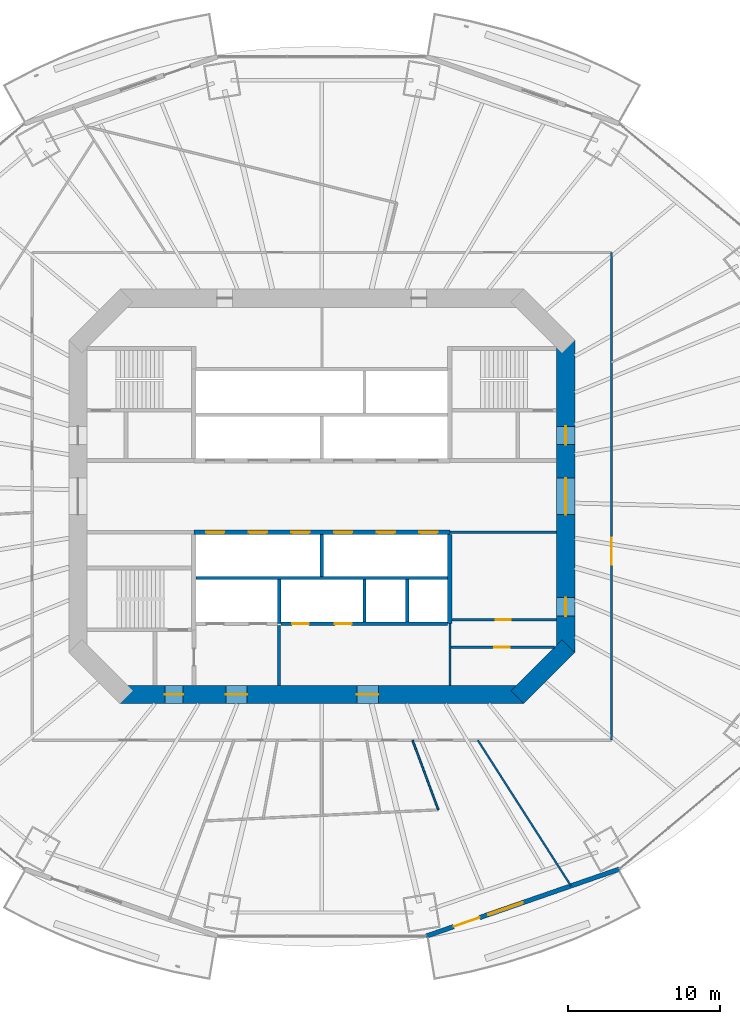
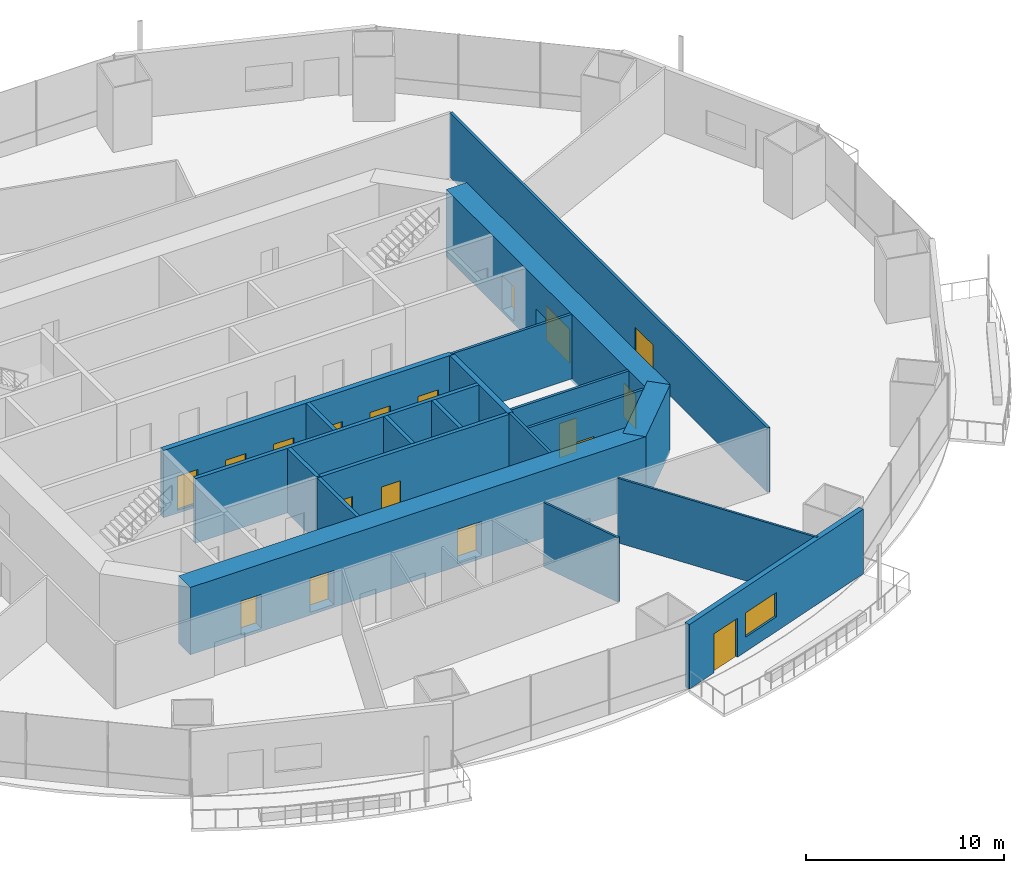
# One storey, part 14 of 22: 20 walls, 18 doors, 1 window, 19 openings.
"""IFC4 building model written with IfcOpenShell, lengths in metres."""

import ifcopenshell
import ifcopenshell.guid

model = None  # the IFC model being written
_history = None  # IfcOwnerHistory: only IFC2X3 demands one
_inside = {}  # id of a spatial element -> (the spatial element, [elements in it])
_under = {}  # id of a project, library or spatial element -> (it, [spatial elements below it])
_declared = {}  # id of a project -> (the project, [libraries it declares])
_typed = {}  # id of a type object -> (the type object, [elements of that type])
_made_of = {}  # id of a material, layer set ... -> (it, [elements and type objects made of it])


def new_model(schema):
    """Start an empty IFC model of exactly this schema.

    Asked for "IFC4X3", IfcOpenShell would pick the latest addendum, in which some entities
    have other attributes; the version numbers below select the first issue.
    IFC2X3 requires an IfcOwnerHistory on every rooted entity: one is made here for all.
    """
    global model, _history
    if schema == "IFC4X3":
        model = ifcopenshell.file(schema_version=(4, 3, 0, 0))
    else:
        model = ifcopenshell.file(schema=schema)
    _inside.clear()
    _under.clear()
    _declared.clear()
    _typed.clear()
    _made_of.clear()
    _history = None
    if model.schema == "IFC2X3":
        org = make("IfcOrganization", Name="unknown")
        user = make(
            "IfcPersonAndOrganization",
            ThePerson=make("IfcPerson", FamilyName="unknown"),
            TheOrganization=org,
        )
        app = make(
            "IfcApplication",
            ApplicationDeveloper=org,
            Version="unknown",
            ApplicationFullName="unknown",
            ApplicationIdentifier="unknown",
        )
        _history = make(
            "IfcOwnerHistory",
            OwningUser=user,
            OwningApplication=app,
            ChangeAction="ADDED",
            CreationDate=0,
        )
    return model


def make(cls, **values):
    """One entity of the class cls with the attributes given. An attribute that is None is left unset."""
    return model.create_entity(
        cls, **{name: value for name, value in values.items() if value is not None}
    )


def rooted(cls, **values):
    """An entity with a GlobalId (a new one), such as an element, a storey or a relation."""
    return make(cls, GlobalId=ifcopenshell.guid.new(), OwnerHistory=_history, **values)


def si_unit(unit_type, name, prefix=None):
    """IfcSIUnit, for example si_unit("LENGTHUNIT", "METRE", prefix="MILLI")."""
    return make("IfcSIUnit", UnitType=unit_type, Prefix=prefix, Name=name)


def assignment(units):
    """IfcUnitAssignment: the units of a project."""
    return None if units is None else make("IfcUnitAssignment", Units=units)


def point(xyz):
    """IfcCartesianPoint."""
    return None if xyz is None else make("IfcCartesianPoint", Coordinates=xyz)


def direction(xyz):
    """IfcDirection."""
    return None if xyz is None else make("IfcDirection", DirectionRatios=xyz)


def frame(location, z_axis=None, x_axis=None):
    """IfcAxis2Placement3D, a coordinate frame: its origin and axes. An axis left out is left unset."""
    return make(
        "IfcAxis2Placement3D",
        Location=point(location),
        Axis=direction(z_axis),
        RefDirection=direction(x_axis),
    )


def frame_2d(location, x_axis=None):
    """IfcAxis2Placement2D, a coordinate frame in the plane: its origin and x axis."""
    return make(
        "IfcAxis2Placement2D", Location=point(location), RefDirection=direction(x_axis)
    )


def origin():
    """The frame at (0, 0, 0) with its axes left unset."""
    return frame((0.0, 0.0, 0.0))


def place(relative_to, where):
    """IfcLocalPlacement: puts the frame where relative to a parent placement (None: the world)."""
    return make(
        "IfcLocalPlacement", PlacementRelTo=relative_to, RelativePlacement=where
    )


def context(
    kind, dimensions, precision=None, world=None, true_north=None, identifier=None
):
    """IfcGeometricRepresentationContext, for example the 3D "Model" context."""
    return make(
        "IfcGeometricRepresentationContext",
        ContextIdentifier=identifier,
        ContextType=kind,
        CoordinateSpaceDimension=dimensions,
        Precision=precision,
        WorldCoordinateSystem=world,
        TrueNorth=true_north,
    )


def subcontext(parent, identifier, kind, view, scale=None):
    """IfcGeometricRepresentationSubContext, for example "Body" below "Model"."""
    return make(
        "IfcGeometricRepresentationSubContext",
        ContextIdentifier=identifier,
        ContextType=kind,
        ParentContext=parent,
        TargetScale=scale,
        TargetView=view,
    )


def project(units=None, contexts=None):
    """IfcProject with its units and contexts."""
    return rooted(
        "IfcProject",
        Name="project",
        RepresentationContexts=contexts,
        UnitsInContext=assignment(units),
    )


def spatial(cls, under=None, at=None, **own):
    """A site, building, storey or space (cls), placed at a placement, below another one or the project."""
    s = rooted(cls, ObjectPlacement=at, **own)
    if under is not None:
        _under.setdefault(under.id(), (under, []))[1].append(s)
    return s


def profile(cls, at=None, kind="AREA", **sizes):
    """A parametric profile (cls). Its sizes go by their IFC names, for example OverallWidth=200.0."""
    return make(cls, ProfileType=kind, Position=at, **sizes)


def rectangle(**sizes):
    """IfcRectangleProfileDef."""
    return profile("IfcRectangleProfileDef", **sizes)


def extrude(swept, where, along, depth):
    """IfcExtrudedAreaSolid: the profile swept, set in the frame where, extruded along a direction by depth."""
    return make(
        "IfcExtrudedAreaSolid",
        SweptArea=swept,
        Position=where,
        ExtrudedDirection=direction(along),
        Depth=depth,
    )


def shape(context_of_items, identifier, shape_type, items):
    """IfcShapeRepresentation: the items that make up one representation, for example the "Body"."""
    return make(
        "IfcShapeRepresentation",
        ContextOfItems=context_of_items,
        RepresentationIdentifier=identifier,
        RepresentationType=shape_type,
        Items=items,
    )


def material(Name=None, Category=None):
    """IfcMaterial."""
    return make("IfcMaterial", Name=Name, Category=Category)


def layer(
    of_material, thickness, ventilated=None, Name=None, Category=None, Priority=None
):
    """IfcMaterialLayer: one layer of a wall or slab, of a material (None: an air gap)."""
    return make(
        "IfcMaterialLayer",
        Material=of_material,
        LayerThickness=thickness,
        IsVentilated=ventilated,
        Name=Name,
        Category=Category,
        Priority=Priority,
    )


def layer_set(layers, Name=None):
    """IfcMaterialLayerSet."""
    return make("IfcMaterialLayerSet", MaterialLayers=layers, LayerSetName=Name)


def made_of(thing, what):
    """Note that an element or type object is made of a material, layer set ...; save() writes the relation."""
    if what is not None:
        _made_of.setdefault(what.id(), (what, []))[1].append(thing)
    return thing


def type_object(cls, material=None, **own):
    """A type object (cls), such as IfcWallType, which elements share."""
    return made_of(rooted(cls, **own), material)


def element(
    cls,
    number,
    at=None,
    inside=None,
    cuts=None,
    type_object=None,
    material=None,
    context=None,
    identifier="Body",
    shape_type=None,
    held_by="IfcProductDefinitionShape",
    body=None,
    shapes=None,
    **own,
):
    """One element of the class cls, such as IfcWall. Its Tag is "e" and its number.

    at: its placement. inside: the storey or other place that contains it. cuts: it is an
    opening in that element (IfcRelVoidsElement). A single representation is given by context,
    identifier, shape_type and body (its items); several are given by shapes. held_by: the class
    of the entity that holds the representations. save() writes the other relations.
    """
    e = rooted(cls, Tag="e%d" % number, ObjectPlacement=at, **own)
    if body is not None:
        shapes = [shape(context, identifier, shape_type, body)]
    if shapes is not None:
        e.Representation = make(held_by, Representations=shapes)
    if inside is not None:
        _inside.setdefault(inside.id(), (inside, []))[1].append(e)
    if cuts is not None:
        rooted(
            "IfcRelVoidsElement", RelatingBuildingElement=cuts, RelatedOpeningElement=e
        )
    if type_object is not None:
        _typed.setdefault(type_object.id(), (type_object, []))[1].append(e)
    return made_of(e, material)


def fill(opening, filler):
    """IfcRelFillsElement: the door or window that sits in an opening."""
    return rooted(
        "IfcRelFillsElement",
        RelatingOpeningElement=opening,
        RelatedBuildingElement=filler,
    )


def aggregate(whole, parts):
    """IfcRelAggregates: a whole, such as a stair, and the parts it consists of."""
    return rooted("IfcRelAggregates", RelatingObject=whole, RelatedObjects=parts)


def save(model, path):
    """Write the relations noted so far, then the file.

    IfcRelAggregates (storeys below a building ...), IfcRelContainedInSpatialStructure (elements
    in a storey), IfcRelDefinesByType, IfcRelAssociatesMaterial and IfcRelDeclares: one each for
    every whole, place, type object, material and project.
    """
    for whole, parts in _under.values():
        aggregate(whole, parts)
    for where, things in _inside.values():
        rooted(
            "IfcRelContainedInSpatialStructure",
            RelatedElements=things,
            RelatingStructure=where,
        )
    for kind, things in _typed.values():
        rooted("IfcRelDefinesByType", RelatedObjects=things, RelatingType=kind)
    for what, things in _made_of.values():
        rooted("IfcRelAssociatesMaterial", RelatedObjects=things, RelatingMaterial=what)
    for by, libraries in _declared.values():
        rooted("IfcRelDeclares", RelatingContext=by, RelatedDefinitions=libraries)
    model.write(path)


model = new_model("IFC4")

# Units and contexts
model_context = context("Model", 3, precision=1e-05, world=origin(), true_north=direction((0.0, 1.0)))
body_context = subcontext(model_context, "Body", "Model", "MODEL_VIEW")
ifc_project = project(units=[si_unit("LENGTHUNIT", "METRE"), si_unit("AREAUNIT", "SQUARE_METRE"), si_unit("VOLUMEUNIT", "CUBIC_METRE"), si_unit("PLANEANGLEUNIT", "RADIAN"), si_unit("MASSUNIT", "GRAM", prefix="KILO")], contexts=[model_context])

# Site, building, storey
site_placement = place(None, origin())
site = spatial("IfcSite", under=ifc_project, at=site_placement, CompositionType="ELEMENT")
building_placement = place(site_placement, origin())
building = spatial("IfcBuilding", under=site, at=building_placement, Name="Marenthal Gate Tower", CompositionType="ELEMENT")
storey_placement = place(building_placement, frame((0.0, 0.0, 91.10009765625)))
storey = spatial("IfcBuildingStorey", under=building, at=storey_placement, Name="L18", CompositionType="ELEMENT", Elevation=91.10009765625)

# Wall
ifc_material_1 = material(Name="Concrete 60 MPa", Category="concrete")
ifc_layer_1 = layer(ifc_material_1, 1.199951171875)
ifc_layer_set_1 = layer_set([ifc_layer_1], Name="Core shear wall 1200")
wall_type_1 = type_object("IfcWallType", Name="Core shear wall 1200", PredefinedType="SHEAR", material=ifc_layer_set_1)
wall_1_placement = place(storey_placement, frame((12.82421875, -13.17578125, -0.18017578125), z_axis=(0.0, 0.0, 1.0), x_axis=(0.707106781187, 0.707106781187, 0.0)))
element("IfcWall", 1, at=wall_1_placement, inside=storey, type_object=wall_type_1, Name="Core wall 01", PredefinedType="SHEAR", context=body_context, shape_type="SweptSolid", body=[
    extrude(rectangle(XDim=4.73974609375, YDim=1.199951171875, at=frame_2d((2.369873046875, 0.0))), origin(), (0.0, 0.0, 1.0), 4.150146484375),
])

# Wall, openings, doors
wall_2_placement = place(storey_placement, frame((16.0, -10.24853515625, -0.18017578125), z_axis=(0.0, 0.0, 1.0), x_axis=(0.0, 1.0, 0.0)))
wall_2 = element("IfcWall", 2, at=wall_2_placement, inside=storey, type_object=wall_type_1, Name="Core wall 02", PredefinedType="SHEAR", context=body_context, shape_type="SweptSolid", body=[
    extrude(rectangle(XDim=20.4970703125, YDim=1.199951171875, at=frame_2d((10.24853515625, 0.0))), origin(), (0.0, 0.0, 1.0), 4.150146484375),
])
opening_1_placement = place(wall_2_placement, frame((9.048583984375, 0.0, 0.179931640625)))
opening_1 = element("IfcOpeningElement", 3, at=opening_1_placement, cuts=wall_2, Name="Opening D003.02", PredefinedType="OPENING", context=body_context, shape_type="SweptSolid", body=[
    extrude(rectangle(XDim=2.39990234375, YDim=2.10009765625, at=frame_2d((1.199951171875, 1.050048828125))), frame((0.0, 0.60986328125, 0.0), z_axis=(0.0, -1.0, 0.0), x_axis=(1.0, 0.0, 0.0)), (0.0, 0.0, 1.0), 1.219970703125),
])
opening_2_placement = place(wall_2_placement, frame((13.6484375, 0.0, 0.179931640625)))
opening_2 = element("IfcOpeningElement", 4, at=opening_2_placement, cuts=wall_2, Name="Opening D001.05", PredefinedType="OPENING", context=body_context, shape_type="SweptSolid", body=[
    extrude(rectangle(XDim=1.199951171875, YDim=2.10009765625, at=frame_2d((0.60009765625, 1.050048828125))), frame((0.0, 0.60986328125, 0.0), z_axis=(0.0, -1.0, 0.0), x_axis=(1.0, 0.0, 0.0)), (0.0, 0.0, 1.0), 1.219970703125),
])
opening_3_placement = place(wall_2_placement, frame((2.39990234375, 0.0, 0.179931640625)))
opening_3 = element("IfcOpeningElement", 5, at=opening_3_placement, cuts=wall_2, Name="Opening D006.01", PredefinedType="OPENING", context=body_context, shape_type="SweptSolid", body=[
    extrude(rectangle(XDim=1.199951171875, YDim=2.10009765625, at=frame_2d((0.60009765625, 1.050048828125))), frame((0.0, 0.60986328125, 0.0), z_axis=(0.0, -1.0, 0.0), x_axis=(1.0, 0.0, 0.0)), (0.0, 0.0, 1.0), 1.219970703125),
])
ifc_material_2 = material(Name="Steel fire door", Category="steel")
door_type_1 = type_object("IfcDoorType", Name="Double fire door FD 45 2400 x 2100", OperationType="DOUBLE_DOOR_SINGLE_SWING", PredefinedType="DOOR", material=ifc_material_2)
door_1_placement = place(opening_1_placement, origin())
door_1 = element("IfcDoor", 6, at=door_1_placement, inside=storey, type_object=door_type_1, Name="Door D003.02", OperationType="DOUBLE_DOOR_SINGLE_SWING", OverallHeight=2.10009765625, OverallWidth=2.39990234375, PredefinedType="DOOR", context=body_context, shape_type="SweptSolid", body=[
    extrude(rectangle(XDim=2.39990234375, YDim=2.10009765625, at=frame_2d((1.199951171875, 1.050048828125))), frame((0.0, 0.02490234375, 0.0), z_axis=(0.0, -1.0, 0.0), x_axis=(1.0, 0.0, 0.0)), (0.0, 0.0, 1.0), 0.050048828125),
])
fill(opening_1, door_1)
ifc_material_3 = material(Name="Steel fire door", Category="steel")
door_type_2 = type_object("IfcDoorType", Name="Fire door FD 45 1200 x 2100", OperationType="NOTDEFINED", PredefinedType="DOOR", material=ifc_material_3)
door_2_placement = place(opening_3_placement, origin())
door_2 = element("IfcDoor", 7, at=door_2_placement, inside=storey, type_object=door_type_2, Name="Door D006.01", OperationType="SINGLE_SWING_RIGHT", OverallHeight=2.10009765625, OverallWidth=1.199951171875, PredefinedType="DOOR", context=body_context, shape_type="SweptSolid", body=[
    extrude(rectangle(XDim=1.199951171875, YDim=2.10009765625, at=frame_2d((0.60009765625, 1.050048828125))), frame((0.0, 0.02490234375, 0.0), z_axis=(0.0, -1.0, 0.0), x_axis=(1.0, 0.0, 0.0)), (0.0, 0.0, 1.0), 0.050048828125),
])
fill(opening_3, door_2)
ifc_material_4 = material(Name="Steel fire door", Category="steel")
door_type_3 = type_object("IfcDoorType", Name="Fire door FD 90 1200 x 2100", OperationType="NOTDEFINED", PredefinedType="DOOR", material=ifc_material_4)
door_3_placement = place(opening_2_placement, origin())
door_3 = element("IfcDoor", 8, at=door_3_placement, inside=storey, type_object=door_type_3, Name="Door D001.05", OperationType="SINGLE_SWING_RIGHT", OverallHeight=2.10009765625, OverallWidth=1.199951171875, PredefinedType="DOOR", context=body_context, shape_type="SweptSolid", body=[
    extrude(rectangle(XDim=1.199951171875, YDim=2.10009765625, at=frame_2d((0.60009765625, 1.050048828125))), frame((0.0, 0.02490234375, 0.0), z_axis=(0.0, -1.0, 0.0), x_axis=(1.0, 0.0, 0.0)), (0.0, 0.0, 1.0), 0.050048828125),
])
fill(opening_2, door_3)

wall_3_placement = place(storey_placement, frame((-13.24853515625, -13.0, -0.18017578125), z_axis=(0.0, 0.0, 1.0), x_axis=(1.0, 0.0, 0.0)))
wall_3 = element("IfcWall", 9, at=wall_3_placement, inside=storey, type_object=wall_type_1, Name="Core wall 08", PredefinedType="SHEAR", context=body_context, shape_type="SweptSolid", body=[
    extrude(rectangle(XDim=26.4970703125, YDim=1.199951171875, at=frame_2d((13.24853515625, 0.0))), origin(), (0.0, 0.0, 1.0), 4.150146484375),
])
opening_4_placement = place(wall_3_placement, frame((2.948486328125, 0.0, 0.179931640625)))
opening_4 = element("IfcOpeningElement", 10, at=opening_4_placement, cuts=wall_3, Name="Opening D001.06", PredefinedType="OPENING", context=body_context, shape_type="SweptSolid", body=[
    extrude(rectangle(XDim=1.199951171875, YDim=2.10009765625, at=frame_2d((0.60009765625, 1.050048828125))), frame((0.0, 0.60986328125, 0.0), z_axis=(0.0, -1.0, 0.0), x_axis=(1.0, 0.0, 0.0)), (0.0, 0.0, 1.0), 1.219970703125),
])
opening_5_placement = place(wall_3_placement, frame((6.948486328125, 0.0, 0.179931640625)))
opening_5 = element("IfcOpeningElement", 11, at=opening_5_placement, cuts=wall_3, Name="Opening D004.01", PredefinedType="OPENING", context=body_context, shape_type="SweptSolid", body=[
    extrude(rectangle(XDim=1.39990234375, YDim=2.10009765625, at=frame_2d((0.699951171875, 1.050048828125))), frame((0.0, 0.60986328125, 0.0), z_axis=(0.0, -1.0, 0.0), x_axis=(1.0, 0.0, 0.0)), (0.0, 0.0, 1.0), 1.219970703125),
])
opening_6_placement = place(wall_3_placement, frame((15.548583984375, 0.0, 0.179931640625)))
opening_6 = element("IfcOpeningElement", 12, at=opening_6_placement, cuts=wall_3, Name="Opening D004.02", PredefinedType="OPENING", context=body_context, shape_type="SweptSolid", body=[
    extrude(rectangle(XDim=1.39990234375, YDim=2.10009765625, at=frame_2d((0.699951171875, 1.050048828125))), frame((0.0, 0.60986328125, 0.0), z_axis=(0.0, -1.0, 0.0), x_axis=(1.0, 0.0, 0.0)), (0.0, 0.0, 1.0), 1.219970703125),
])
ifc_material_5 = material(Name="Steel fire door", Category="steel")
door_type_4 = type_object("IfcDoorType", Name="Fire door FD 45 1400 x 2100", OperationType="NOTDEFINED", PredefinedType="DOOR", material=ifc_material_5)
door_4_placement = place(opening_5_placement, origin())
door_4 = element("IfcDoor", 13, at=door_4_placement, inside=storey, type_object=door_type_4, Name="Door D004.01", OperationType="SINGLE_SWING_RIGHT", OverallHeight=2.10009765625, OverallWidth=1.39990234375, PredefinedType="DOOR", context=body_context, shape_type="SweptSolid", body=[
    extrude(rectangle(XDim=1.39990234375, YDim=2.10009765625, at=frame_2d((0.699951171875, 1.050048828125))), frame((0.0, 0.02490234375, 0.0), z_axis=(0.0, -1.0, 0.0), x_axis=(1.0, 0.0, 0.0)), (0.0, 0.0, 1.0), 0.050048828125),
])
fill(opening_5, door_4)
door_5_placement = place(opening_6_placement, origin())
door_5 = element("IfcDoor", 14, at=door_5_placement, inside=storey, type_object=door_type_4, Name="Door D004.02", OperationType="SINGLE_SWING_RIGHT", OverallHeight=2.10009765625, OverallWidth=1.39990234375, PredefinedType="DOOR", context=body_context, shape_type="SweptSolid", body=[
    extrude(rectangle(XDim=1.39990234375, YDim=2.10009765625, at=frame_2d((0.699951171875, 1.050048828125))), frame((0.0, 0.02490234375, 0.0), z_axis=(0.0, -1.0, 0.0), x_axis=(1.0, 0.0, 0.0)), (0.0, 0.0, 1.0), 0.050048828125),
])
fill(opening_6, door_5)
door_6_placement = place(opening_4_placement, origin())
door_6 = element("IfcDoor", 15, at=door_6_placement, inside=storey, type_object=door_type_3, Name="Door D001.06", OperationType="SINGLE_SWING_RIGHT", OverallHeight=2.10009765625, OverallWidth=1.199951171875, PredefinedType="DOOR", context=body_context, shape_type="SweptSolid", body=[
    extrude(rectangle(XDim=1.199951171875, YDim=2.10009765625, at=frame_2d((0.60009765625, 1.050048828125))), frame((0.0, 0.02490234375, 0.0), z_axis=(0.0, -1.0, 0.0), x_axis=(1.0, 0.0, 0.0)), (0.0, 0.0, 1.0), 0.050048828125),
])
fill(opening_4, door_6)

# Wall
ifc_material_6 = material(Name="Gypsum board on steel studs", Category="steel")
ifc_layer_2 = layer(ifc_material_6, 0.199951171875)
ifc_layer_set_2 = layer_set([ifc_layer_2], Name="Fire lobby wall 200")
wall_type_2 = type_object("IfcWallType", Name="Fire lobby wall 200", PredefinedType="PARTITIONING", material=ifc_layer_set_2)
wall_4_placement = place(storey_placement, frame((-2.800048828125, -12.39990234375, 0.0), z_axis=(0.0, 0.0, 1.0), x_axis=(0.0, 1.0, 0.0)))
element("IfcWall", 16, at=wall_4_placement, inside=storey, type_object=wall_type_2, Name="Fire wall 34", PredefinedType="PARTITIONING", context=body_context, shape_type="SweptSolid", body=[
    extrude(rectangle(XDim=3.93994140625, YDim=0.199951171875, at=frame_2d((1.969970703125, 0.0))), origin(), (0.0, 0.0, 1.0), 3.969970703125),
])

# Wall, openings, doors
ifc_material_7 = material(Name="Concrete 50 MPa", Category="concrete")
ifc_layer_3 = layer(ifc_material_7, 0.300048828125)
ifc_layer_set_3 = layer_set([ifc_layer_3], Name="Hoistway shear wall 300")
wall_type_3 = type_object("IfcWallType", Name="Hoistway shear wall 300", PredefinedType="SHEAR", material=ifc_layer_set_3)
wall_5_placement = place(storey_placement, frame((-8.39990234375, -2.35009765625, -0.18017578125), z_axis=(0.0, 0.0, 1.0), x_axis=(1.0, 0.0, 0.0)))
wall_5 = element("IfcWall", 17, at=wall_5_placement, inside=storey, type_object=wall_type_3, Name="Hoistway wall 17", PredefinedType="SHEAR", context=body_context, shape_type="SweptSolid", body=[
    extrude(rectangle(XDim=16.7998046875, YDim=0.300048828125, at=frame_2d((8.39990234375, 0.0))), origin(), (0.0, 0.0, 1.0), 4.150146484375),
])
opening_7_placement = place(wall_5_placement, frame((0.800048828125, 0.0, 0.179931640625)))
opening_7 = element("IfcOpeningElement", 18, at=opening_7_placement, cuts=wall_5, Name="Opening LD-LP7", PredefinedType="OPENING", context=body_context, shape_type="SweptSolid", body=[
    extrude(rectangle(XDim=1.199951171875, YDim=2.10009765625, at=frame_2d((0.60009765625, 1.050048828125))), frame((0.0, 0.16015625, 0.0), z_axis=(0.0, -1.0, 0.0), x_axis=(1.0, 0.0, 0.0)), (0.0, 0.0, 1.0), 0.320068359375),
])
opening_8_placement = place(wall_5_placement, frame((3.60009765625, 0.0, 0.179931640625)))
opening_8 = element("IfcOpeningElement", 19, at=opening_8_placement, cuts=wall_5, Name="Opening LD-LP8", PredefinedType="OPENING", context=body_context, shape_type="SweptSolid", body=[
    extrude(rectangle(XDim=1.199951171875, YDim=2.10009765625, at=frame_2d((0.60009765625, 1.050048828125))), frame((0.0, 0.16015625, 0.0), z_axis=(0.0, -1.0, 0.0), x_axis=(1.0, 0.0, 0.0)), (0.0, 0.0, 1.0), 0.320068359375),
])
opening_9_placement = place(wall_5_placement, frame((6.39990234375, 0.0, 0.179931640625)))
opening_9 = element("IfcOpeningElement", 20, at=opening_9_placement, cuts=wall_5, Name="Opening LD-LP9", PredefinedType="OPENING", context=body_context, shape_type="SweptSolid", body=[
    extrude(rectangle(XDim=1.199951171875, YDim=2.10009765625, at=frame_2d((0.60009765625, 1.050048828125))), frame((0.0, 0.16015625, 0.0), z_axis=(0.0, -1.0, 0.0), x_axis=(1.0, 0.0, 0.0)), (0.0, 0.0, 1.0), 0.320068359375),
])
opening_10_placement = place(wall_5_placement, frame((9.199951171875, 0.0, 0.179931640625)))
opening_10 = element("IfcOpeningElement", 21, at=opening_10_placement, cuts=wall_5, Name="Opening LD-LP10", PredefinedType="OPENING", context=body_context, shape_type="SweptSolid", body=[
    extrude(rectangle(XDim=1.199951171875, YDim=2.10009765625, at=frame_2d((0.60009765625, 1.050048828125))), frame((0.0, 0.16015625, 0.0), z_axis=(0.0, -1.0, 0.0), x_axis=(1.0, 0.0, 0.0)), (0.0, 0.0, 1.0), 0.320068359375),
])
opening_11_placement = place(wall_5_placement, frame((12.0, 0.0, 0.179931640625)))
opening_11 = element("IfcOpeningElement", 22, at=opening_11_placement, cuts=wall_5, Name="Opening LD-LP11", PredefinedType="OPENING", context=body_context, shape_type="SweptSolid", body=[
    extrude(rectangle(XDim=1.199951171875, YDim=2.10009765625, at=frame_2d((0.60009765625, 1.050048828125))), frame((0.0, 0.16015625, 0.0), z_axis=(0.0, -1.0, 0.0), x_axis=(1.0, 0.0, 0.0)), (0.0, 0.0, 1.0), 0.320068359375),
])
opening_12_placement = place(wall_5_placement, frame((14.800048828125, 0.0, 0.179931640625)))
opening_12 = element("IfcOpeningElement", 23, at=opening_12_placement, cuts=wall_5, Name="Opening LD-LP12", PredefinedType="OPENING", context=body_context, shape_type="SweptSolid", body=[
    extrude(rectangle(XDim=1.199951171875, YDim=2.10009765625, at=frame_2d((0.60009765625, 1.050048828125))), frame((0.0, 0.16015625, 0.0), z_axis=(0.0, -1.0, 0.0), x_axis=(1.0, 0.0, 0.0)), (0.0, 0.0, 1.0), 0.320068359375),
])
ifc_material_8 = material(Name="Stainless steel sliding door", Category="steel")
door_type_5 = type_object("IfcDoorType", Name="Lift landing door FD 90 1200 x 2100", OperationType="DOUBLE_DOOR_SLIDING", PredefinedType="DOOR", material=ifc_material_8)
door_7_placement = place(opening_7_placement, origin())
door_7 = element("IfcDoor", 24, at=door_7_placement, inside=storey, type_object=door_type_5, Name="Lift landing door LP7", OperationType="DOUBLE_DOOR_SLIDING", OverallHeight=2.10009765625, OverallWidth=1.199951171875, PredefinedType="DOOR", context=body_context, shape_type="SweptSolid", body=[
    extrude(rectangle(XDim=1.199951171875, YDim=2.10009765625, at=frame_2d((0.60009765625, 1.050048828125))), frame((0.0, 0.02490234375, 0.0), z_axis=(0.0, -1.0, 0.0), x_axis=(1.0, 0.0, 0.0)), (0.0, 0.0, 1.0), 0.050048828125),
])
fill(opening_7, door_7)
door_8_placement = place(opening_8_placement, origin())
door_8 = element("IfcDoor", 25, at=door_8_placement, inside=storey, type_object=door_type_5, Name="Lift landing door LP8", OperationType="DOUBLE_DOOR_SLIDING", OverallHeight=2.10009765625, OverallWidth=1.199951171875, PredefinedType="DOOR", context=body_context, shape_type="SweptSolid", body=[
    extrude(rectangle(XDim=1.199951171875, YDim=2.10009765625, at=frame_2d((0.60009765625, 1.050048828125))), frame((0.0, 0.02490234375, 0.0), z_axis=(0.0, -1.0, 0.0), x_axis=(1.0, 0.0, 0.0)), (0.0, 0.0, 1.0), 0.050048828125),
])
fill(opening_8, door_8)
door_9_placement = place(opening_9_placement, origin())
door_9 = element("IfcDoor", 26, at=door_9_placement, inside=storey, type_object=door_type_5, Name="Lift landing door LP9", OperationType="DOUBLE_DOOR_SLIDING", OverallHeight=2.10009765625, OverallWidth=1.199951171875, PredefinedType="DOOR", context=body_context, shape_type="SweptSolid", body=[
    extrude(rectangle(XDim=1.199951171875, YDim=2.10009765625, at=frame_2d((0.60009765625, 1.050048828125))), frame((0.0, 0.02490234375, 0.0), z_axis=(0.0, -1.0, 0.0), x_axis=(1.0, 0.0, 0.0)), (0.0, 0.0, 1.0), 0.050048828125),
])
fill(opening_9, door_9)
door_10_placement = place(opening_10_placement, origin())
door_10 = element("IfcDoor", 27, at=door_10_placement, inside=storey, type_object=door_type_5, Name="Lift landing door LP10", OperationType="DOUBLE_DOOR_SLIDING", OverallHeight=2.10009765625, OverallWidth=1.199951171875, PredefinedType="DOOR", context=body_context, shape_type="SweptSolid", body=[
    extrude(rectangle(XDim=1.199951171875, YDim=2.10009765625, at=frame_2d((0.60009765625, 1.050048828125))), frame((0.0, 0.02490234375, 0.0), z_axis=(0.0, -1.0, 0.0), x_axis=(1.0, 0.0, 0.0)), (0.0, 0.0, 1.0), 0.050048828125),
])
fill(opening_10, door_10)
door_11_placement = place(opening_11_placement, origin())
door_11 = element("IfcDoor", 28, at=door_11_placement, inside=storey, type_object=door_type_5, Name="Lift landing door LP11", OperationType="DOUBLE_DOOR_SLIDING", OverallHeight=2.10009765625, OverallWidth=1.199951171875, PredefinedType="DOOR", context=body_context, shape_type="SweptSolid", body=[
    extrude(rectangle(XDim=1.199951171875, YDim=2.10009765625, at=frame_2d((0.60009765625, 1.050048828125))), frame((0.0, 0.02490234375, 0.0), z_axis=(0.0, -1.0, 0.0), x_axis=(1.0, 0.0, 0.0)), (0.0, 0.0, 1.0), 0.050048828125),
])
fill(opening_11, door_11)
door_12_placement = place(opening_12_placement, origin())
door_12 = element("IfcDoor", 29, at=door_12_placement, inside=storey, type_object=door_type_5, Name="Lift landing door LP12", OperationType="DOUBLE_DOOR_SLIDING", OverallHeight=2.10009765625, OverallWidth=1.199951171875, PredefinedType="DOOR", context=body_context, shape_type="SweptSolid", body=[
    extrude(rectangle(XDim=1.199951171875, YDim=2.10009765625, at=frame_2d((0.60009765625, 1.050048828125))), frame((0.0, 0.02490234375, 0.0), z_axis=(0.0, -1.0, 0.0), x_axis=(1.0, 0.0, 0.0)), (0.0, 0.0, 1.0), 0.050048828125),
])
fill(opening_12, door_12)

# Wall
wall_6_placement = place(storey_placement, frame((8.39990234375, -8.35009765625, -0.18017578125), z_axis=(0.0, 0.0, 1.0), x_axis=(0.0, 1.0, 0.0)))
element("IfcWall", 30, at=wall_6_placement, inside=storey, type_object=wall_type_3, Name="Hoistway wall 43", PredefinedType="SHEAR", context=body_context, shape_type="SweptSolid", body=[
    extrude(rectangle(XDim=5.85009765625, YDim=0.300048828125, at=frame_2d((2.925048828125, 0.0))), origin(), (0.0, 0.0, 1.0), 4.150146484375),
])

# Wall, openings, doors
ifc_material_9 = material(Name="Concrete 40 MPa", Category="concrete")
ifc_layer_4 = layer(ifc_material_9, 0.219970703125)
ifc_layer_set_4 = layer_set([ifc_layer_4], Name="Hoistway wall 220")
wall_type_4 = type_object("IfcWallType", Name="Hoistway wall 220", PredefinedType="STANDARD", material=ifc_layer_set_4)
wall_7_placement = place(storey_placement, frame((-2.68994140625, -8.35009765625, 0.0), z_axis=(0.0, 0.0, 1.0), x_axis=(1.0, 0.0, 0.0)))
wall_7 = element("IfcWall", 31, at=wall_7_placement, inside=storey, type_object=wall_type_4, Name="Hoistway wall 12", PredefinedType="STANDARD", context=body_context, shape_type="SweptSolid", body=[
    extrude(rectangle(XDim=10.93994140625, YDim=0.219970703125, at=frame_2d((5.469970703125, 0.0))), origin(), (0.0, 0.0, 1.0), 3.969970703125),
])
opening_13_placement = place(wall_7_placement, frame((0.739990234375, 0.0, 0.0)))
opening_13 = element("IfcOpeningElement", 32, at=opening_13_placement, cuts=wall_7, Name="Opening LD-SV1", PredefinedType="OPENING", context=body_context, shape_type="SweptSolid", body=[
    extrude(rectangle(XDim=1.10009765625, YDim=2.10009765625, at=frame_2d((0.550048828125, 1.050048828125))), frame((0.0, 0.1201171875, 0.0), z_axis=(0.0, -1.0, 0.0), x_axis=(1.0, 0.0, 0.0)), (0.0, 0.0, 1.0), 0.239990234375),
])
opening_14_placement = place(wall_7_placement, frame((3.5400390625, 0.0, 0.0)))
opening_14 = element("IfcOpeningElement", 33, at=opening_14_placement, cuts=wall_7, Name="Opening LD-SV2", PredefinedType="OPENING", context=body_context, shape_type="SweptSolid", body=[
    extrude(rectangle(XDim=1.10009765625, YDim=2.10009765625, at=frame_2d((0.550048828125, 1.050048828125))), frame((0.0, 0.1201171875, 0.0), z_axis=(0.0, -1.0, 0.0), x_axis=(1.0, 0.0, 0.0)), (0.0, 0.0, 1.0), 0.239990234375),
])
ifc_material_10 = material(Name="Stainless steel sliding door", Category="steel")
door_type_6 = type_object("IfcDoorType", Name="Lift landing door FD 90 1100 x 2100", OperationType="DOUBLE_DOOR_SLIDING", PredefinedType="DOOR", material=ifc_material_10)
door_13_placement = place(opening_13_placement, origin())
door_13 = element("IfcDoor", 34, at=door_13_placement, inside=storey, type_object=door_type_6, Name="Lift landing door SV1", OperationType="DOUBLE_DOOR_SLIDING", OverallHeight=2.10009765625, OverallWidth=1.10009765625, PredefinedType="DOOR", context=body_context, shape_type="SweptSolid", body=[
    extrude(rectangle(XDim=1.10009765625, YDim=2.10009765625, at=frame_2d((0.550048828125, 1.050048828125))), frame((0.0, 0.02490234375, 0.0), z_axis=(0.0, -1.0, 0.0), x_axis=(1.0, 0.0, 0.0)), (0.0, 0.0, 1.0), 0.050048828125),
])
fill(opening_13, door_13)
door_14_placement = place(opening_14_placement, origin())
door_14 = element("IfcDoor", 35, at=door_14_placement, inside=storey, type_object=door_type_6, Name="Lift landing door SV2", OperationType="DOUBLE_DOOR_SLIDING", OverallHeight=2.10009765625, OverallWidth=1.10009765625, PredefinedType="DOOR", context=body_context, shape_type="SweptSolid", body=[
    extrude(rectangle(XDim=1.10009765625, YDim=2.10009765625, at=frame_2d((0.550048828125, 1.050048828125))), frame((0.0, 0.02490234375, 0.0), z_axis=(0.0, -1.0, 0.0), x_axis=(1.0, 0.0, 0.0)), (0.0, 0.0, 1.0), 0.050048828125),
])
fill(opening_14, door_14)

# Walls
wall_8_placement = place(storey_placement, frame((-8.25, -5.35009765625, 0.0), z_axis=(0.0, 0.0, 1.0), x_axis=(1.0, 0.0, 0.0)))
element("IfcWall", 36, at=wall_8_placement, inside=storey, type_object=wall_type_4, Name="Hoistway wall 14", PredefinedType="STANDARD", context=body_context, shape_type="SweptSolid", body=[
    extrude(rectangle(XDim=16.5, YDim=0.219970703125, at=frame_2d((8.25, 0.0))), origin(), (0.0, 0.0, 1.0), 3.969970703125),
])
wall_9_placement = place(storey_placement, frame((-2.800048828125, -8.35009765625, 0.0), z_axis=(0.0, 0.0, 1.0), x_axis=(0.0, 1.0, 0.0)))
element("IfcWall", 37, at=wall_9_placement, inside=storey, type_object=wall_type_4, Name="Hoistway wall 35", PredefinedType="STANDARD", context=body_context, shape_type="SweptSolid", body=[
    extrude(rectangle(XDim=2.89013671875, YDim=0.219970703125, at=frame_2d((1.445068359375, 0.0))), origin(), (0.0, 0.0, 1.0), 3.969970703125),
])
wall_10_placement = place(storey_placement, frame((0.0, -5.239990234375, 0.0), z_axis=(0.0, 0.0, 1.0), x_axis=(0.0, 1.0, 0.0)))
element("IfcWall", 38, at=wall_10_placement, inside=storey, type_object=wall_type_4, Name="Hoistway wall 36", PredefinedType="STANDARD", context=body_context, shape_type="SweptSolid", body=[
    extrude(rectangle(XDim=2.739990234375, YDim=0.219970703125, at=frame_2d((1.3701171875, 0.0))), origin(), (0.0, 0.0, 1.0), 3.969970703125),
])
for number, where, z_axis, x_axis, name in (
    (39, (2.800048828125, -8.239990234375, 0.0), (0.0, 0.0, 1.0), (0.0, 1.0, 0.0), "Hoistway wall 39"),
    (40, (5.60009765625, -8.239990234375, 0.0), (0.0, 0.0, 1.0), (0.0, 1.0, 0.0), "Hoistway wall 41"),
):
    element("IfcWall", number, at=place(storey_placement, frame(where, z_axis=z_axis, x_axis=x_axis)), inside=storey, type_object=wall_type_4, Name=name, PredefinedType="STANDARD", context=body_context, shape_type="SweptSolid", body=[
        extrude(rectangle(XDim=2.780029296875, YDim=0.219970703125, at=frame_2d((1.39013671875, 0.0))), origin(), (0.0, 0.0, 1.0), 3.969970703125),
    ])
ifc_material_11 = material(Name="Gypsum board on steel studs", Category="steel")
ifc_layer_5 = layer(ifc_material_11, 0.1201171875)
ifc_layer_set_5 = layer_set([ifc_layer_5], Name="Partition 120")
wall_type_5 = type_object("IfcWallType", Name="Partition 120", PredefinedType="PARTITIONING", material=ifc_layer_set_5)
wall_11_placement = place(storey_placement, frame((7.64306640625, -20.564697265625, 0.0), z_axis=(0.0, 0.0, 1.0), x_axis=(-0.348380368387, 0.93735325194, 0.0)))
element("IfcWall", 41, at=wall_11_placement, inside=storey, type_object=wall_type_5, Name="Partition wall 62", PredefinedType="PARTITIONING", context=body_context, shape_type="SweptSolid", body=[
    extrude(rectangle(XDim=4.869873046875, YDim=0.1201171875, at=frame_2d((2.43505859375, 0.0))), origin(), (0.0, 0.0, 1.0), 3.969970703125),
])
wall_12_placement = place(storey_placement, frame((10.231201171875, -16.0, 0.0), z_axis=(0.0, 0.0, 1.0), x_axis=(0.538717793893, -0.84248628389, 0.0)))
element("IfcWall", 42, at=wall_12_placement, inside=storey, type_object=wall_type_5, Name="Partition wall 63", PredefinedType="PARTITIONING", context=body_context, shape_type="SweptSolid", body=[
    extrude(rectangle(XDim=11.34521484375, YDim=0.1201171875, at=frame_2d((5.672607421875, 0.0))), origin(), (0.0, 0.0, 1.0), 3.969970703125),
])

# Wall, opening, door
ifc_material_12 = material(Name="Gypsum board on steel studs", Category="steel")
ifc_layer_6 = layer(ifc_material_12, 0.14990234375)
ifc_layer_set_6 = layer_set([ifc_layer_6], Name="Partition 150")
wall_type_6 = type_object("IfcWallType", Name="Partition 150", PredefinedType="PARTITIONING", material=ifc_layer_set_6)
wall_13_placement = place(storey_placement, frame((8.47509765625, -9.89990234375, 0.0), z_axis=(0.0, 0.0, 1.0), x_axis=(1.0, 0.0, 0.0)))
wall_13 = element("IfcWall", 43, at=wall_13_placement, inside=storey, type_object=wall_type_6, Name="Partition wall 09", PredefinedType="PARTITIONING", context=body_context, shape_type="SweptSolid", body=[
    extrude(rectangle(XDim=6.7763671875, YDim=0.14990234375, at=frame_2d((3.38818359375, 0.0))), origin(), (0.0, 0.0, 1.0), 3.969970703125),
])
opening_15_placement = place(wall_13_placement, frame((2.8505859375, 0.0, 0.0)))
opening_15 = element("IfcOpeningElement", 44, at=opening_15_placement, cuts=wall_13, Name="Opening D005.04", PredefinedType="OPENING", context=body_context, shape_type="SweptSolid", body=[
    extrude(rectangle(XDim=1.0, YDim=2.10009765625, at=frame_2d((0.5, 1.050048828125))), frame((0.0, 0.0849609375, 0.0), z_axis=(0.0, -1.0, 0.0), x_axis=(1.0, 0.0, 0.0)), (0.0, 0.0, 1.0), 0.169921875),
])
ifc_material_13 = material(Name="Steel fire door", Category="steel")
door_type_7 = type_object("IfcDoorType", Name="Fire door FD 45 1000 x 2100", OperationType="NOTDEFINED", PredefinedType="DOOR", material=ifc_material_13)
door_15_placement = place(opening_15_placement, frame((1.0, 0.0, 0.0), z_axis=(0.0, 0.0, 1.0), x_axis=(-1.0, 0.0, 0.0)))
door_15 = element("IfcDoor", 45, at=door_15_placement, inside=storey, type_object=door_type_7, Name="Door D005.04", OperationType="SINGLE_SWING_LEFT", OverallHeight=2.10009765625, OverallWidth=1.0, PredefinedType="DOOR", context=body_context, shape_type="SweptSolid", body=[
    extrude(rectangle(XDim=1.0, YDim=2.10009765625, at=frame_2d((0.5, 1.050048828125))), frame((0.0, 0.02490234375, 0.0), z_axis=(0.0, -1.0, 0.0), x_axis=(1.0, 0.0, 0.0)), (0.0, 0.0, 1.0), 0.050048828125),
])
fill(opening_15, door_15)

wall_14_placement = place(storey_placement, frame((8.550048828125, -8.10009765625, 0.0), z_axis=(0.0, 0.0, 1.0), x_axis=(1.0, 0.0, 0.0)))
wall_14 = element("IfcWall", 46, at=wall_14_placement, inside=storey, type_object=wall_type_6, Name="Partition wall 13", PredefinedType="PARTITIONING", context=body_context, shape_type="SweptSolid", body=[
    extrude(rectangle(XDim=6.849853515625, YDim=0.14990234375, at=frame_2d((3.4248046875, 0.0))), origin(), (0.0, 0.0, 1.0), 3.969970703125),
])
opening_16_placement = place(wall_14_placement, frame((2.85009765625, 0.0, 0.0)))
opening_16 = element("IfcOpeningElement", 47, at=opening_16_placement, cuts=wall_14, Name="Opening D005.03", PredefinedType="OPENING", context=body_context, shape_type="SweptSolid", body=[
    extrude(rectangle(XDim=1.0, YDim=2.10009765625, at=frame_2d((0.5, 1.050048828125))), frame((0.0, 0.0849609375, 0.0), z_axis=(0.0, -1.0, 0.0), x_axis=(1.0, 0.0, 0.0)), (0.0, 0.0, 1.0), 0.169921875),
])
door_16_placement = place(opening_16_placement, origin())
door_16 = element("IfcDoor", 48, at=door_16_placement, inside=storey, type_object=door_type_7, Name="Door D005.03", OperationType="SINGLE_SWING_RIGHT", OverallHeight=2.10009765625, OverallWidth=1.0, PredefinedType="DOOR", context=body_context, shape_type="SweptSolid", body=[
    extrude(rectangle(XDim=1.0, YDim=2.10009765625, at=frame_2d((0.5, 1.050048828125))), frame((0.0, 0.02490234375, 0.0), z_axis=(0.0, -1.0, 0.0), x_axis=(1.0, 0.0, 0.0)), (0.0, 0.0, 1.0), 0.050048828125),
])
fill(opening_16, door_16)

# Walls
wall_15_placement = place(storey_placement, frame((8.39990234375, -2.35009765625, 0.0), z_axis=(0.0, 0.0, 1.0), x_axis=(1.0, 0.0, 0.0)))
element("IfcWall", 49, at=wall_15_placement, inside=storey, type_object=wall_type_6, Name="Partition wall 18", PredefinedType="PARTITIONING", context=body_context, shape_type="SweptSolid", body=[
    extrude(rectangle(XDim=7.0, YDim=0.14990234375, at=frame_2d((3.5, 0.0))), origin(), (0.0, 0.0, 1.0), 3.969970703125),
])
wall_16_placement = place(storey_placement, frame((8.39990234375, -12.39990234375, 0.0), z_axis=(0.0, 0.0, 1.0), x_axis=(0.0, 1.0, 0.0)))
element("IfcWall", 50, at=wall_16_placement, inside=storey, type_object=wall_type_6, Name="Partition wall 42", PredefinedType="PARTITIONING", context=body_context, shape_type="SweptSolid", body=[
    extrude(rectangle(XDim=4.0498046875, YDim=0.14990234375, at=frame_2d((2.02490234375, 0.0))), origin(), (0.0, 0.0, 1.0), 3.969970703125),
])

# Wall, opening, door
wall_17_placement = place(storey_placement, frame((19.0, 16.0, 0.0), z_axis=(0.0, 0.0, 1.0), x_axis=(0.0, -1.0, 0.0)))
wall_17 = element("IfcWall", 51, at=wall_17_placement, inside=storey, type_object=wall_type_6, Name="Partition wall 66", PredefinedType="PARTITIONING", context=body_context, shape_type="SweptSolid", body=[
    extrude(rectangle(XDim=32.0, YDim=0.14990234375, at=frame_2d((16.0, 0.0))), origin(), (0.0, 0.0, 1.0), 3.969970703125),
])
opening_17_placement = place(wall_17_placement, frame((18.700927734375, 0.0, 0.0)))
opening_17 = element("IfcOpeningElement", 52, at=opening_17_placement, cuts=wall_17, Name="Opening D014.04", PredefinedType="OPENING", context=body_context, shape_type="SweptSolid", body=[
    extrude(rectangle(XDim=1.800048828125, YDim=2.10009765625, at=frame_2d((0.89990234375, 1.050048828125))), frame((0.0, 0.0849609375, 0.0), z_axis=(0.0, -1.0, 0.0), x_axis=(1.0, 0.0, 0.0)), (0.0, 0.0, 1.0), 0.169921875),
])
ifc_material_14 = material(Name="Timber door", Category="wood")
door_type_8 = type_object("IfcDoorType", Name="Double door 1800 x 2100", OperationType="DOUBLE_DOOR_SINGLE_SWING", PredefinedType="DOOR", material=ifc_material_14)
door_17_placement = place(opening_17_placement, origin())
door_17 = element("IfcDoor", 53, at=door_17_placement, inside=storey, type_object=door_type_8, Name="Door D014.04", OperationType="DOUBLE_DOOR_SINGLE_SWING", OverallHeight=2.10009765625, OverallWidth=1.800048828125, PredefinedType="DOOR", context=body_context, shape_type="SweptSolid", body=[
    extrude(rectangle(XDim=1.800048828125, YDim=2.10009765625, at=frame_2d((0.89990234375, 1.050048828125))), frame((0.0, 0.02490234375, 0.0), z_axis=(0.0, -1.0, 0.0), x_axis=(1.0, 0.0, 0.0)), (0.0, 0.0, 1.0), 0.050048828125),
])
fill(opening_17, door_17)

# Wall, openings, door, window
ifc_material_15 = material(Name="Terracotta cladding on insulated concrete-block backing", Category="masonry")
ifc_layer_7 = layer(ifc_material_15, 0.300048828125)
ifc_layer_set_7 = layer_set([ifc_layer_7], Name="Terracotta facade wall 300")
wall_type_7 = type_object("IfcWallType", Name="Terracotta facade wall 300", PredefinedType="SOLIDWALL", material=ifc_layer_set_7)
wall_18_placement = place(storey_placement, frame((6.849853515625, -28.852783203125, 0.0), z_axis=(0.0, 0.0, 1.0), x_axis=(0.944722748464, 0.327870292241, 0.0)))
wall_18 = element("IfcWall", 54, at=wall_18_placement, inside=storey, type_object=wall_type_7, Name="Terracotta facade wall L18 bay 13", PredefinedType="SOLIDWALL", context=body_context, shape_type="SweptSolid", body=[
    extrude(rectangle(XDim=13.397216796875, YDim=0.300048828125, at=frame_2d((6.69873046875, 0.0))), origin(), (0.0, 0.0, 1.0), 3.969970703125),
])
opening_18_placement = place(wall_18_placement, frame((1.89990234375, 0.0, 0.0)))
opening_18 = element("IfcOpeningElement", 55, at=opening_18_placement, cuts=wall_18, Name="Opening BD-L18-13", PredefinedType="OPENING", context=body_context, shape_type="SweptSolid", body=[
    extrude(rectangle(XDim=1.800048828125, YDim=2.39990234375, at=frame_2d((0.89990234375, 1.199951171875))), frame((0.0, 0.16015625, 0.0), z_axis=(0.0, -1.0, 0.0), x_axis=(1.0, 0.0, 0.0)), (0.0, 0.0, 1.0), 0.320068359375),
])
opening_19_placement = place(wall_18_placement, frame((4.300048828125, 0.0, 0.89990234375)))
opening_19 = element("IfcOpeningElement", 56, at=opening_19_placement, cuts=wall_18, Name="Opening WN1-L18-13", PredefinedType="OPENING", context=body_context, shape_type="SweptSolid", body=[
    extrude(rectangle(XDim=2.39990234375, YDim=1.5, at=frame_2d((1.199951171875, 0.75))), frame((0.0, 0.16015625, 0.0), z_axis=(0.0, -1.0, 0.0), x_axis=(1.0, 0.0, 0.0)), (0.0, 0.0, 1.0), 0.320068359375),
])
ifc_material_16 = material(Name="Aluminium and glass", Category="aluminium")
door_type_9 = type_object("IfcDoorType", Name="Balcony door 1800x2400", OperationType="DOUBLE_DOOR_SINGLE_SWING", PredefinedType="DOOR", material=ifc_material_16)
door_18_placement = place(opening_18_placement, origin())
door_18 = element("IfcDoor", 57, at=door_18_placement, inside=storey, type_object=door_type_9, Name="Balcony door L18 bay 13", OperationType="SINGLE_SWING_LEFT", OverallHeight=2.39990234375, OverallWidth=1.800048828125, PredefinedType="DOOR", context=body_context, shape_type="SweptSolid", body=[
    extrude(rectangle(XDim=1.800048828125, YDim=2.39990234375, at=frame_2d((0.89990234375, 1.199951171875))), frame((0.0, 0.02490234375, 0.0), z_axis=(0.0, -1.0, 0.0), x_axis=(1.0, 0.0, 0.0)), (0.0, 0.0, 1.0), 0.050048828125),
])
fill(opening_18, door_18)
ifc_material_17 = material(Name="Aluminium and glass", Category="aluminium")
window_type = type_object("IfcWindowType", Name="Window 2400x1500", PartitioningType="TRIPLE_PANEL_VERTICAL", PredefinedType="WINDOW", material=ifc_material_17)
window_placement = place(opening_19_placement, origin())
window = element("IfcWindow", 58, at=window_placement, inside=storey, type_object=window_type, Name="Window L18 bay 13", OverallHeight=1.5, OverallWidth=2.39990234375, PartitioningType="SINGLE_PANEL", PredefinedType="WINDOW", context=body_context, shape_type="SweptSolid", body=[
    extrude(rectangle(XDim=2.39990234375, YDim=1.5, at=frame_2d((1.199951171875, 0.75))), frame((0.0, 0.030029296875, 0.0), z_axis=(0.0, -1.0, 0.0), x_axis=(1.0, 0.0, 0.0)), (0.0, 0.0, 1.0), 0.06005859375),
])
fill(opening_19, window)

save(model, "model.ifc")
